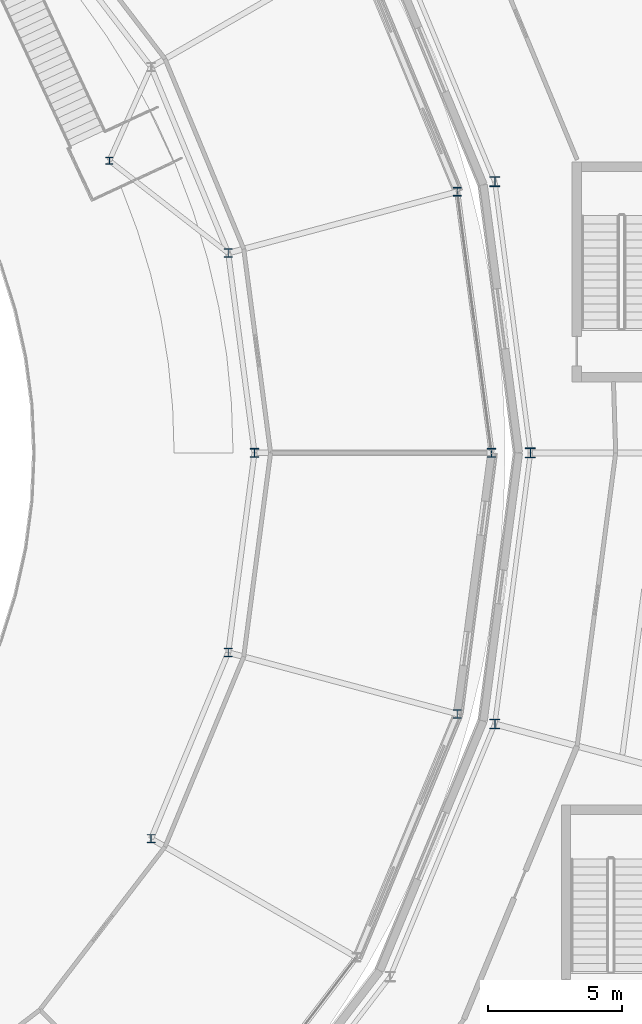
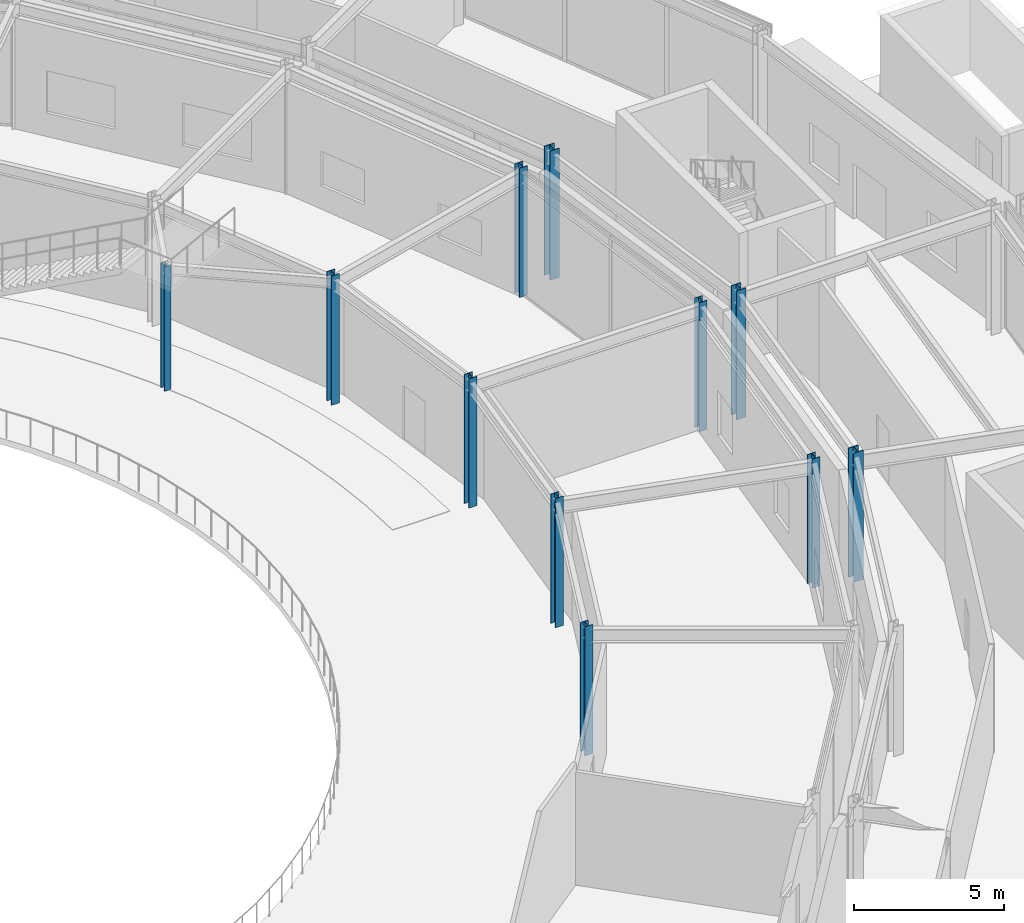
# One storey, part 8 of 168: 11 columns.
"""IFC4 building model written with IfcOpenShell, lengths in metres."""

import ifcopenshell
import ifcopenshell.guid

model = None  # the IFC model being written
_history = None  # IfcOwnerHistory: only IFC2X3 demands one
_inside = {}  # id of a spatial element -> (the spatial element, [elements in it])
_under = {}  # id of a project, library or spatial element -> (it, [spatial elements below it])
_declared = {}  # id of a project -> (the project, [libraries it declares])
_typed = {}  # id of a type object -> (the type object, [elements of that type])
_made_of = {}  # id of a material, layer set ... -> (it, [elements and type objects made of it])


def new_model(schema):
    """Start an empty IFC model of exactly this schema.

    Asked for "IFC4X3", IfcOpenShell would pick the latest addendum, in which some entities
    have other attributes; the version numbers below select the first issue.
    IFC2X3 requires an IfcOwnerHistory on every rooted entity: one is made here for all.
    """
    global model, _history
    if schema == "IFC4X3":
        model = ifcopenshell.file(schema_version=(4, 3, 0, 0))
    else:
        model = ifcopenshell.file(schema=schema)
    _inside.clear()
    _under.clear()
    _declared.clear()
    _typed.clear()
    _made_of.clear()
    _history = None
    if model.schema == "IFC2X3":
        org = make("IfcOrganization", Name="unknown")
        user = make(
            "IfcPersonAndOrganization",
            ThePerson=make("IfcPerson", FamilyName="unknown"),
            TheOrganization=org,
        )
        app = make(
            "IfcApplication",
            ApplicationDeveloper=org,
            Version="unknown",
            ApplicationFullName="unknown",
            ApplicationIdentifier="unknown",
        )
        _history = make(
            "IfcOwnerHistory",
            OwningUser=user,
            OwningApplication=app,
            ChangeAction="ADDED",
            CreationDate=0,
        )
    return model


def make(cls, **values):
    """One entity of the class cls with the attributes given. An attribute that is None is left unset."""
    return model.create_entity(
        cls, **{name: value for name, value in values.items() if value is not None}
    )


def rooted(cls, **values):
    """An entity with a GlobalId (a new one), such as an element, a storey or a relation."""
    return make(cls, GlobalId=ifcopenshell.guid.new(), OwnerHistory=_history, **values)


def si_unit(unit_type, name, prefix=None):
    """IfcSIUnit, for example si_unit("LENGTHUNIT", "METRE", prefix="MILLI")."""
    return make("IfcSIUnit", UnitType=unit_type, Prefix=prefix, Name=name)


def assignment(units):
    """IfcUnitAssignment: the units of a project."""
    return None if units is None else make("IfcUnitAssignment", Units=units)


def point(xyz):
    """IfcCartesianPoint."""
    return None if xyz is None else make("IfcCartesianPoint", Coordinates=xyz)


def direction(xyz):
    """IfcDirection."""
    return None if xyz is None else make("IfcDirection", DirectionRatios=xyz)


def frame(location, z_axis=None, x_axis=None):
    """IfcAxis2Placement3D, a coordinate frame: its origin and axes. An axis left out is left unset."""
    return make(
        "IfcAxis2Placement3D",
        Location=point(location),
        Axis=direction(z_axis),
        RefDirection=direction(x_axis),
    )


def frame_2d(location, x_axis=None):
    """IfcAxis2Placement2D, a coordinate frame in the plane: its origin and x axis."""
    return make(
        "IfcAxis2Placement2D", Location=point(location), RefDirection=direction(x_axis)
    )


def origin():
    """The frame at (0, 0, 0) with its axes left unset."""
    return frame((0.0, 0.0, 0.0))


def origin_2d():
    """The frame at (0, 0) in the plane with its x axis left unset."""
    return frame_2d((0.0, 0.0))


def place(relative_to, where):
    """IfcLocalPlacement: puts the frame where relative to a parent placement (None: the world)."""
    return make(
        "IfcLocalPlacement", PlacementRelTo=relative_to, RelativePlacement=where
    )


def context(
    kind, dimensions, precision=None, world=None, true_north=None, identifier=None
):
    """IfcGeometricRepresentationContext, for example the 3D "Model" context."""
    return make(
        "IfcGeometricRepresentationContext",
        ContextIdentifier=identifier,
        ContextType=kind,
        CoordinateSpaceDimension=dimensions,
        Precision=precision,
        WorldCoordinateSystem=world,
        TrueNorth=true_north,
    )


def subcontext(parent, identifier, kind, view, scale=None):
    """IfcGeometricRepresentationSubContext, for example "Body" below "Model"."""
    return make(
        "IfcGeometricRepresentationSubContext",
        ContextIdentifier=identifier,
        ContextType=kind,
        ParentContext=parent,
        TargetScale=scale,
        TargetView=view,
    )


def project(units=None, contexts=None):
    """IfcProject with its units and contexts."""
    return rooted(
        "IfcProject",
        Name="project",
        RepresentationContexts=contexts,
        UnitsInContext=assignment(units),
    )


def spatial(cls, under=None, at=None, **own):
    """A site, building, storey or space (cls), placed at a placement, below another one or the project."""
    s = rooted(cls, ObjectPlacement=at, **own)
    if under is not None:
        _under.setdefault(under.id(), (under, []))[1].append(s)
    return s


def profile(cls, at=None, kind="AREA", **sizes):
    """A parametric profile (cls). Its sizes go by their IFC names, for example OverallWidth=200.0."""
    return make(cls, ProfileType=kind, Position=at, **sizes)


def i_section(**sizes):
    """IfcIShapeProfileDef."""
    return profile("IfcIShapeProfileDef", **sizes)


def extrude(swept, where, along, depth):
    """IfcExtrudedAreaSolid: the profile swept, set in the frame where, extruded along a direction by depth."""
    return make(
        "IfcExtrudedAreaSolid",
        SweptArea=swept,
        Position=where,
        ExtrudedDirection=direction(along),
        Depth=depth,
    )


def shape(context_of_items, identifier, shape_type, items):
    """IfcShapeRepresentation: the items that make up one representation, for example the "Body"."""
    return make(
        "IfcShapeRepresentation",
        ContextOfItems=context_of_items,
        RepresentationIdentifier=identifier,
        RepresentationType=shape_type,
        Items=items,
    )


def material(Name=None, Category=None):
    """IfcMaterial."""
    return make("IfcMaterial", Name=Name, Category=Category)


def material_profile(
    of_material, cross_section, Name=None, Category=None, Priority=None
):
    """IfcMaterialProfile: a cross section and its material."""
    return make(
        "IfcMaterialProfile",
        Name=Name,
        Material=of_material,
        Profile=cross_section,
        Priority=Priority,
        Category=Category,
    )


def profile_set(profiles, Name=None, composite=None):
    """IfcMaterialProfileSet."""
    return make(
        "IfcMaterialProfileSet",
        Name=Name,
        MaterialProfiles=profiles,
        CompositeProfile=composite,
    )


def made_of(thing, what):
    """Note that an element or type object is made of a material, layer set ...; save() writes the relation."""
    if what is not None:
        _made_of.setdefault(what.id(), (what, []))[1].append(thing)
    return thing


def type_object(cls, material=None, **own):
    """A type object (cls), such as IfcWallType, which elements share."""
    return made_of(rooted(cls, **own), material)


def element(
    cls,
    number,
    at=None,
    inside=None,
    cuts=None,
    type_object=None,
    material=None,
    context=None,
    identifier="Body",
    shape_type=None,
    held_by="IfcProductDefinitionShape",
    body=None,
    shapes=None,
    **own,
):
    """One element of the class cls, such as IfcWall. Its Tag is "e" and its number.

    at: its placement. inside: the storey or other place that contains it. cuts: it is an
    opening in that element (IfcRelVoidsElement). A single representation is given by context,
    identifier, shape_type and body (its items); several are given by shapes. held_by: the class
    of the entity that holds the representations. save() writes the other relations.
    """
    e = rooted(cls, Tag="e%d" % number, ObjectPlacement=at, **own)
    if body is not None:
        shapes = [shape(context, identifier, shape_type, body)]
    if shapes is not None:
        e.Representation = make(held_by, Representations=shapes)
    if inside is not None:
        _inside.setdefault(inside.id(), (inside, []))[1].append(e)
    if cuts is not None:
        rooted(
            "IfcRelVoidsElement", RelatingBuildingElement=cuts, RelatedOpeningElement=e
        )
    if type_object is not None:
        _typed.setdefault(type_object.id(), (type_object, []))[1].append(e)
    return made_of(e, material)


def aggregate(whole, parts):
    """IfcRelAggregates: a whole, such as a stair, and the parts it consists of."""
    return rooted("IfcRelAggregates", RelatingObject=whole, RelatedObjects=parts)


def save(model, path):
    """Write the relations noted so far, then the file.

    IfcRelAggregates (storeys below a building ...), IfcRelContainedInSpatialStructure (elements
    in a storey), IfcRelDefinesByType, IfcRelAssociatesMaterial and IfcRelDeclares: one each for
    every whole, place, type object, material and project.
    """
    for whole, parts in _under.values():
        aggregate(whole, parts)
    for where, things in _inside.values():
        rooted(
            "IfcRelContainedInSpatialStructure",
            RelatedElements=things,
            RelatingStructure=where,
        )
    for kind, things in _typed.values():
        rooted("IfcRelDefinesByType", RelatedObjects=things, RelatingType=kind)
    for what, things in _made_of.values():
        rooted("IfcRelAssociatesMaterial", RelatedObjects=things, RelatingMaterial=what)
    for by, libraries in _declared.values():
        rooted("IfcRelDeclares", RelatingContext=by, RelatedDefinitions=libraries)
    model.write(path)


model = new_model("IFC4")

# Units and contexts
model_context = context("Model", 3, precision=1e-05, world=origin(), true_north=direction((0.0, 1.0)))
body_context = subcontext(model_context, "Body", "Model", "MODEL_VIEW")
ifc_project = project(units=[si_unit("LENGTHUNIT", "METRE"), si_unit("AREAUNIT", "SQUARE_METRE"), si_unit("VOLUMEUNIT", "CUBIC_METRE"), si_unit("PLANEANGLEUNIT", "RADIAN"), si_unit("MASSUNIT", "GRAM", prefix="KILO")], contexts=[model_context])

# Site, building, storey
site_placement = place(None, origin())
site = spatial("IfcSite", under=ifc_project, at=site_placement, CompositionType="ELEMENT")
building_placement = place(site_placement, origin())
building = spatial("IfcBuilding", under=site, at=building_placement, Name="Almandine Court Research Institute", CompositionType="ELEMENT")
storey_placement = place(building_placement, origin())
storey = spatial("IfcBuildingStorey", under=building, at=storey_placement, Name="L00", CompositionType="ELEMENT", Elevation=0.0)

# Columns
ifc_material = material(Name="Steel ASTM A992 Grade 50", Category="steel")
ifc_material_profile_1 = material_profile(ifc_material, i_section(OverallWidth=0.373046875, OverallDepth=0.367919921875, WebThickness=0.01708984375, FlangeThickness=0.027099609375, at=origin_2d()), Name="W360x179")
ifc_profile_set_1 = profile_set([ifc_material_profile_1], Name="Steel ASTM A992 Grade 50")
column_type_1 = type_object("IfcColumnType", Name="Col-C-W03-E", PredefinedType="COLUMN", material=ifc_profile_set_1)
for number, where, z_axis, x_axis, name in (
    (1, (126.10009765625, 56.0, 0.0), (0.0, 0.0, 1.0), (1.0, 0.0, 0.0), "L00 V5 Column V5-IN-S00"),
    (2, (124.76806640625, 66.1201171875, 0.0), (0.0, 0.0, 1.0), (1.0, 0.0, 0.0), "L00 V5 Column V5-IN-S01"),
    (3, (124.76806640625, 45.8798828125, 0.0), (0.0, 0.0, 1.0), (1.0, 0.0, 0.0), "L00 V5 Column V5-IN-S23"),
):
    element("IfcColumn", number, at=place(storey_placement, frame(where, z_axis=z_axis, x_axis=x_axis)), inside=storey, type_object=column_type_1, Name=name, PredefinedType="COLUMN", context=body_context, shape_type="SweptSolid", body=[
        extrude(i_section(OverallWidth=0.373046875, OverallDepth=0.367919921875, WebThickness=0.01708984375, FlangeThickness=0.027099609375, at=origin_2d()), origin(), (0.0, 0.0, 1.0), 5.25),
    ])
ifc_material_profile_2 = material_profile(ifc_material, i_section(OverallWidth=0.31005859375, OverallDepth=0.326904296875, WebThickness=0.01611328125, FlangeThickness=0.02490234375, at=origin_2d()), Name="W310x158")
ifc_profile_set_2 = profile_set([ifc_material_profile_2], Name="Steel ASTM A992 Grade 50")
column_type_2 = type_object("IfcColumnType", Name="Col-C-W06", PredefinedType="COLUMN", material=ifc_profile_set_2)
for number, where, z_axis, x_axis, name in (
    (4, (124.64990234375, 56.0, 0.0), (0.0, 0.0, 1.0), (1.0, 0.0, 0.0), "L00 V2 Column V2-OUT-S00"),
    (5, (123.366943359375, 65.7451171875, 0.0), (0.0, 0.0, 1.0), (1.0, 0.0, 0.0), "L00 V2 Column V2-OUT-S01"),
    (6, (123.366943359375, 46.2548828125, 0.0), (0.0, 0.0, 1.0), (1.0, 0.0, 0.0), "L00 V2 Column V2-OUT-S23"),
    (7, (115.800048828125, 56.0, 0.0), (0.0, 0.0, 1.0), (1.0, 0.0, 0.0), "L00 V2 Column V2-MID-S00"),
    (8, (114.819091796875, 63.4541015625, 0.0), (0.0, 0.0, 1.0), (1.0, 0.0, 0.0), "L00 V2 Column V2-MID-S01"),
    (9, (114.819091796875, 48.5458984375, 0.0), (0.0, 0.0, 1.0), (1.0, 0.0, 0.0), "L00 V2 Column V2-MID-S23"),
):
    element("IfcColumn", number, at=place(storey_placement, frame(where, z_axis=z_axis, x_axis=x_axis)), inside=storey, type_object=column_type_2, Name=name, PredefinedType="COLUMN", context=body_context, shape_type="SweptSolid", body=[
        extrude(i_section(OverallWidth=0.31005859375, OverallDepth=0.326904296875, WebThickness=0.01611328125, FlangeThickness=0.02490234375, at=origin_2d()), origin(), (0.0, 0.0, 1.0), 5.25),
    ])
ifc_material_profile_3 = material_profile(ifc_material, i_section(OverallWidth=0.305908203125, OverallDepth=0.31103515625, WebThickness=0.010986328125, FlangeThickness=0.01708984375, at=origin_2d()), Name="W310x107")
ifc_profile_set_3 = profile_set([ifc_material_profile_3], Name="Steel ASTM A992 Grade 50")
column_type_3 = type_object("IfcColumnType", Name="Col-C-W08", PredefinedType="COLUMN", material=ifc_profile_set_3)
column_1_placement = place(storey_placement, frame((111.94189453125, 41.60009765625, 0.0), z_axis=(0.0, 0.0, 1.0), x_axis=(1.0, 0.0, 0.0)))
element("IfcColumn", 10, at=column_1_placement, inside=storey, type_object=column_type_3, Name="L00 V2 Column V2-MID-S22", PredefinedType="COLUMN", context=body_context, shape_type="SweptSolid", body=[
    extrude(i_section(OverallWidth=0.305908203125, OverallDepth=0.31103515625, WebThickness=0.010986328125, FlangeThickness=0.01708984375, at=origin_2d()), origin(), (0.0, 0.0, 1.0), 5.25),
])
ifc_material_profile_4 = material_profile(ifc_material, i_section(OverallWidth=0.257080078125, OverallDepth=0.263916015625, WebThickness=0.011962890625, FlangeThickness=0.02001953125, at=origin_2d()), Name="W250x101")
ifc_profile_set_4 = profile_set([ifc_material_profile_4], Name="Steel ASTM A992 Grade 50")
column_type_4 = type_object("IfcColumnType", Name="Col-C-W09", PredefinedType="COLUMN", material=ifc_profile_set_4)
column_2_placement = place(storey_placement, frame((110.383056640625, 66.904052734375, 0.0), z_axis=(0.0, 0.0, 1.0), x_axis=(1.0, 0.0, 0.0)))
element("IfcColumn", 11, at=column_2_placement, inside=storey, type_object=column_type_4, Name="L00 V2 Column STAT1", PredefinedType="COLUMN", context=body_context, shape_type="SweptSolid", body=[
    extrude(i_section(OverallWidth=0.257080078125, OverallDepth=0.263916015625, WebThickness=0.011962890625, FlangeThickness=0.02001953125, at=origin_2d()), origin(), (0.0, 0.0, 1.0), 5.070068359375),
])

save(model, "model.ifc")
